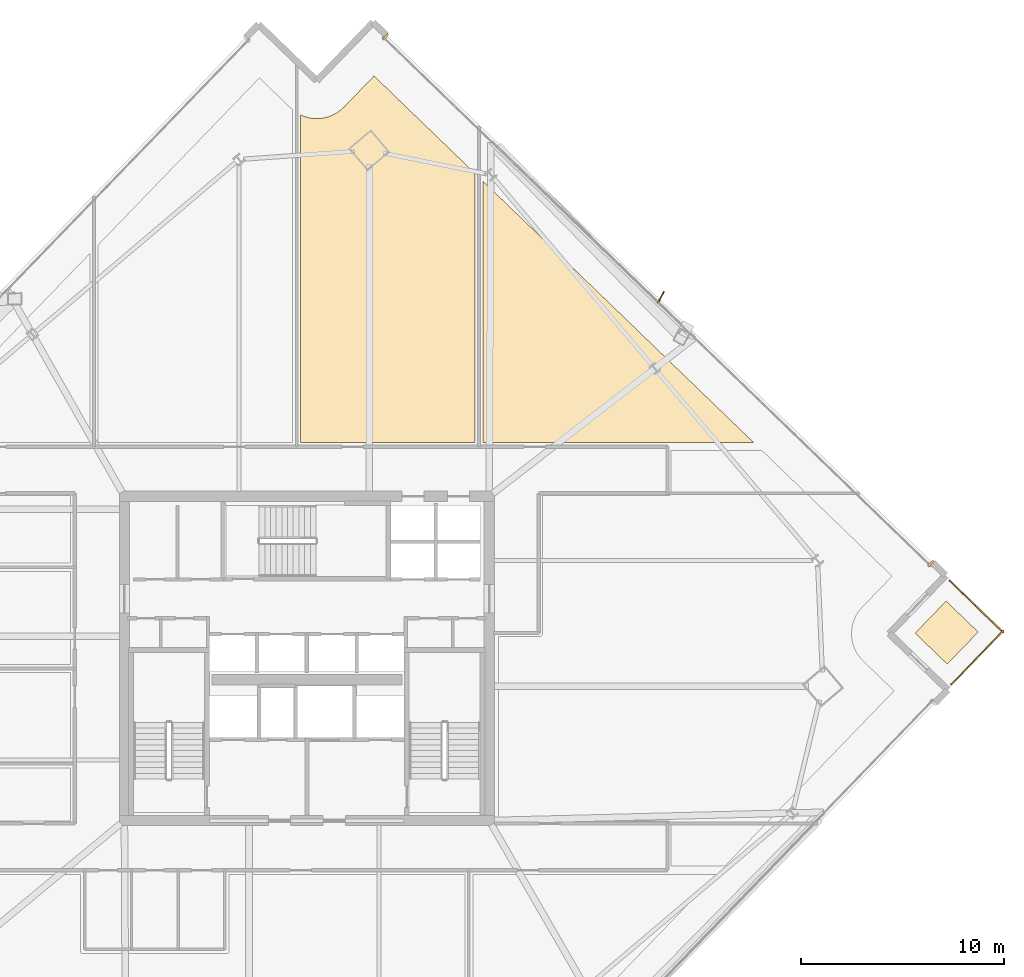
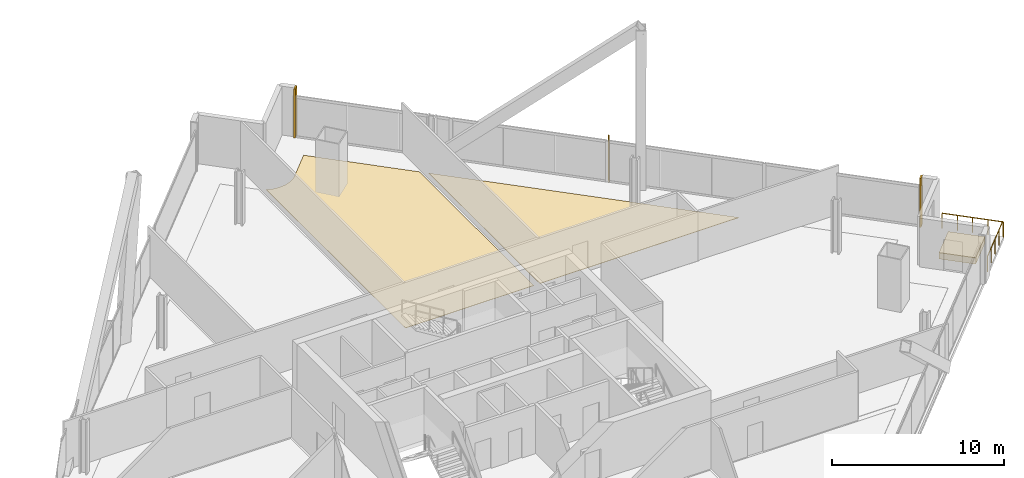
# One storey, part 33 of 33: 5 coverings, 2 railings, 1 shading device.
"""IFC4 building model written with IfcOpenShell, lengths in metres."""

from ifc_helpers import new_model, si_unit, direction, frame, origin, origin_2d, place, context, subcontext, project, spatial, polyline, rectangle, outline, extrude, source, transform, mapped, material, layer, layer_set, type_object, element, save


model = new_model("IFC4")

# Units and contexts
model_context = context("Model", 3, precision=1e-05, world=origin(), true_north=direction((0.0, 1.0)))
body_context = subcontext(model_context, "Body", "Model", "MODEL_VIEW")
ifc_project = project(units=[si_unit("LENGTHUNIT", "METRE"), si_unit("AREAUNIT", "SQUARE_METRE"), si_unit("VOLUMEUNIT", "CUBIC_METRE"), si_unit("PLANEANGLEUNIT", "RADIAN"), si_unit("MASSUNIT", "GRAM", prefix="KILO")], contexts=[model_context])

# Site, building, storey
site_placement = place(None, origin())
site = spatial("IfcSite", under=ifc_project, at=site_placement, CompositionType="ELEMENT")
building_placement = place(site_placement, origin())
building = spatial("IfcBuilding", under=site, at=building_placement, Name="Haldenkirk Collegiate Tower", CompositionType="ELEMENT")
storey_placement = place(building_placement, frame((0.0, 0.0, 181.949951171875)))
storey = spatial("IfcBuildingStorey", under=building, at=storey_placement, Name="L45", CompositionType="ELEMENT", Elevation=181.949951171875)

# Coverings
ifc_material_1 = material(Name="Polished collegiate terrazzo", Category="concrete")
ifc_layer_1 = layer(ifc_material_1, 0.02490234375)
ifc_layer_set_1 = layer_set([ifc_layer_1], Name="Polished collegiate terrazzo")
covering_type_1 = type_object("IfcCoveringType", Name="COV-FLOOR-TERRAZZO", PredefinedType="FLOORING", material=ifc_layer_set_1)
covering_1_placement = place(storey_placement, origin())
element("IfcCovering", 1, at=covering_1_placement, inside=storey, type_object=covering_type_1, Name="L45 academic room finish 06", PredefinedType="FLOORING", context=body_context, shape_type="SweptSolid", body=[
    extrude(outline(polyline([(58.052490234375, 36.64990234375), (44.699951171875, 36.64990234375), (44.699951171875, 49.54443359375), (58.052490234375, 36.64990234375)])), origin(), (0.0, 0.0, 1.0), 0.025146484375),
])
ifc_material_2 = material(Name="Engineered collegiate oak acoustic flooring", Category="wood")
ifc_layer_2 = layer(ifc_material_2, 0.02197265625)
ifc_layer_set_2 = layer_set([ifc_layer_2], Name="Engineered collegiate oak acoustic flooring")
covering_type_2 = type_object("IfcCoveringType", Name="COV-FLOOR-TIMBER", PredefinedType="FLOORING", material=ifc_layer_set_2)
covering_2_placement = place(storey_placement, origin())
element("IfcCovering", 2, at=covering_2_placement, inside=storey, type_object=covering_type_2, Name="L45 academic room finish 05", PredefinedType="FLOORING", context=body_context, shape_type="SweptSolid", body=[
    extrude(outline(polyline([(35.699951171875, 52.817626953125), (35.8017578125, 52.771728515625), (35.8125, 52.767333984375), (35.975341796875, 52.71240234375), (35.98681640625, 52.708984375), (36.154052734375, 52.67041015625), (36.16552734375, 52.668212890625), (36.3359375, 52.64599609375), (36.34765625, 52.64501953125), (36.519287109375, 52.6396484375), (36.531005859375, 52.639892578125), (36.702392578125, 52.6513671875), (36.714111328125, 52.652587890625), (36.88330078125, 52.6806640625), (36.89501953125, 52.68310546875), (37.060791015625, 52.727783203125), (37.072021484375, 52.731689453125), (37.232666015625, 52.792236328125), (37.243408203125, 52.796875), (37.3974609375, 52.873046875), (37.40771484375, 52.87890625), (37.553466796875, 52.969482421875), (37.563232421875, 52.976318359375), (37.69921875, 53.0810546875), (37.708251953125, 53.088623046875), (37.83349609375, 53.206298828125), (37.837646484375, 53.210205078125), (39.3173828125, 54.742431640625), (44.300048828125, 49.930908203125), (44.300048828125, 36.64990234375), (35.699951171875, 36.64990234375), (35.699951171875, 52.817626953125)])), origin(), (0.0, 0.0, 1.0), 0.02197265625),
])
ifc_material_3 = material(Name="Precast concrete f'c 40 MPa", Category="concrete")
ifc_layer_3 = layer(ifc_material_3, 0.449951171875)
ifc_layer_set_3 = layer_set([ifc_layer_3], Name="Precast concrete f'c 40 MPa")
covering_type_3 = type_object("IfcCoveringType", Name="COV-PLANTER-450", PredefinedType="USERDEFINED", material=ifc_layer_set_3)
covering_3_placement = place(storey_placement, origin())
element("IfcCovering", 3, at=covering_3_placement, inside=storey, type_object=covering_type_3, Name="L45 planted garden planter bed", ObjectType="PLANTER", PredefinedType="USERDEFINED", context=body_context, shape_type="SweptSolid", body=[
    extrude(outline(polyline([(67.599609375, 25.720703125), (66.01708984375, 27.248779296875), (67.54541015625, 28.831298828125), (69.1279296875, 27.30322265625), (67.599609375, 25.720703125)])), origin(), (0.0, 0.0, 1.0), 0.449951171875),
])

# Railings
ifc_material_4 = material(Name="Anodised architectural bronze aluminium", Category="aluminium")
railing_type = type_object("IfcRailingType", Name="RLG-TERR-BALUSTRADE-1100", PredefinedType="BALUSTRADE", material=ifc_material_4)
railing_1_placement = place(storey_placement, frame((67.801025390625, 24.719970703125, 0.0)))
element("IfcRailing", 4, at=railing_1_placement, inside=storey, type_object=railing_type, Name="L45 terrace guard balustrade 1-1", PredefinedType="BALUSTRADE", context=body_context, shape_type="SweptSolid", body=[
    extrude(rectangle(XDim=0.048095703125, YDim=0.048095703125, at=origin_2d()), frame((0.0, 0.0, 1.076171875), z_axis=(0.69465962738, 0.719338586542, 0.0), x_axis=(-0.719338586542, 0.69465962738, 0.0)), (0.0, 0.0, 1.0), 3.68017578125),
    extrude(rectangle(XDim=0.0419921875, YDim=0.0419921875, at=origin_2d()), origin(), (0.0, 0.0, 1.0), 1.052001953125),
    extrude(rectangle(XDim=0.0419921875, YDim=0.0419921875, at=origin_2d()), frame((0.63916015625, 0.661865234375, 0.0)), (0.0, 0.0, 1.0), 1.052001953125),
    extrude(rectangle(XDim=0.0419921875, YDim=0.0419921875, at=origin_2d()), frame((1.2783203125, 1.32373046875, 0.0)), (0.0, 0.0, 1.0), 1.052001953125),
    extrude(rectangle(XDim=0.0419921875, YDim=0.0419921875, at=origin_2d()), frame((1.917236328125, 1.9853515625, 0.0)), (0.0, 0.0, 1.0), 1.052001953125),
    extrude(rectangle(XDim=0.0419921875, YDim=0.0419921875, at=origin_2d()), frame((2.556396484375, 2.647216796875, 0.0)), (0.0, 0.0, 1.0), 1.052001953125),
])
railing_2_placement = place(storey_placement, frame((70.35888671875, 27.2822265625, 0.0)))
element("IfcRailing", 5, at=railing_2_placement, inside=storey, type_object=railing_type, Name="L45 terrace guard balustrade 2-1", PredefinedType="BALUSTRADE", context=body_context, shape_type="SweptSolid", body=[
    extrude(rectangle(XDim=0.048095703125, YDim=0.048095703125, at=origin_2d()), frame((0.0, 0.0, 1.076171875), z_axis=(-0.719371737692, 0.69462529684, 0.0), x_axis=(-0.69462529684, -0.719371737692, 0.0)), (0.0, 0.0, 1.0), 3.679931640625),
    extrude(rectangle(XDim=0.0419921875, YDim=0.0419921875, at=origin_2d()), origin(), (0.0, 0.0, 1.0), 1.052001953125),
    extrude(rectangle(XDim=0.0419921875, YDim=0.0419921875, at=origin_2d()), frame((-0.661865234375, 0.63916015625, 0.0)), (0.0, 0.0, 1.0), 1.052001953125),
    extrude(rectangle(XDim=0.0419921875, YDim=0.0419921875, at=origin_2d()), frame((-1.32373046875, 1.278076171875, 0.0)), (0.0, 0.0, 1.0), 1.052001953125),
    extrude(rectangle(XDim=0.0419921875, YDim=0.0419921875, at=origin_2d()), frame((-1.9853515625, 1.9169921875, 0.0)), (0.0, 0.0, 1.0), 1.052001953125),
    extrude(rectangle(XDim=0.0419921875, YDim=0.0419921875, at=origin_2d()), frame((-2.647216796875, 2.55615234375, 0.0)), (0.0, 0.0, 1.0), 1.052001953125),
])

# Coverings
ifc_layer_4 = layer(ifc_material_4, 0.06005859375)
ifc_layer_set_4 = layer_set([ifc_layer_4], Name="Anodised architectural bronze aluminium")
covering_type_4 = type_object("IfcCoveringType", Name="COV-CLAD-BRONZE-60", PredefinedType="CLADDING", material=ifc_layer_set_4)
shared_shape_1 = source(origin(), body_context, "Body", "SweptSolid", [
    extrude(rectangle(XDim=0.10009765625, YDim=0.3798828125, at=origin_2d()), origin(), (0.0, 0.0, 1.0), 3.4599609375),
])
for number, where, z_axis, x_axis, name in (
    (6, (39.877685546875, 56.67578125, 0.0), (0.0, 0.0, 1.0), (0.719339800339, -0.694658370459, 0.0), "L45 recessed curtain-wall bronze jamb closure EJL"),
    (7, (66.791748046875, 30.685302734375, 0.0), (0.0, 0.0, 1.0), (0.719339800339, -0.694658370459, 0.0), "L45 recessed curtain-wall bronze jamb closure EJR"),
):
    element("IfcCovering", number, at=place(storey_placement, frame(where, z_axis=z_axis, x_axis=x_axis)), inside=storey, type_object=covering_type_4, Name=name, PredefinedType="CLADDING", context=body_context, shape_type="MappedRepresentation", body=[
        mapped(shared_shape_1, transform((0.0, 0.0, 0.0), x_axis=(1.0, 0.0, 0.0), y_axis=(0.0, 1.0, 0.0), z_axis=(0.0, 0.0, 1.0), scale=1.0)),
    ])

# Shading device
ifc_layer_5 = layer(ifc_material_4, 0.06494140625)
ifc_layer_set_5 = layer_set([ifc_layer_5], Name="Anodised architectural bronze aluminium")
shading_device_type = type_object("IfcShadingDeviceType", Name="SHD-FIN-BRONZE-620", PredefinedType="USERDEFINED", material=ifc_layer_set_5)
shared_shape_2 = source(origin(), body_context, "Body", "SweptSolid", [
    extrude(rectangle(XDim=0.6201171875, YDim=0.06494140625, at=origin_2d()), origin(), (0.0, 0.0, 1.0), 2.910888671875),
])
shading_device_placement = place(storey_placement, frame((53.47705078125, 43.828125, 0.0), z_axis=(0.0, 0.0, 1.0), x_axis=(0.469471562786, 0.882947592859, 0.0)))
element("IfcShadingDevice", 8, at=shading_device_placement, inside=storey, type_object=shading_device_type, Name="L45 folded bronze solar fin 1", ObjectType="FIN", PredefinedType="USERDEFINED", context=body_context, shape_type="MappedRepresentation", body=[
    mapped(shared_shape_2, transform((0.0, 0.0, 0.0), x_axis=(1.0, 0.0, 0.0), y_axis=(0.0, 1.0, 0.0), z_axis=(0.0, 0.0, 1.0), scale=1.0)),
])

save(model, "model.ifc")
